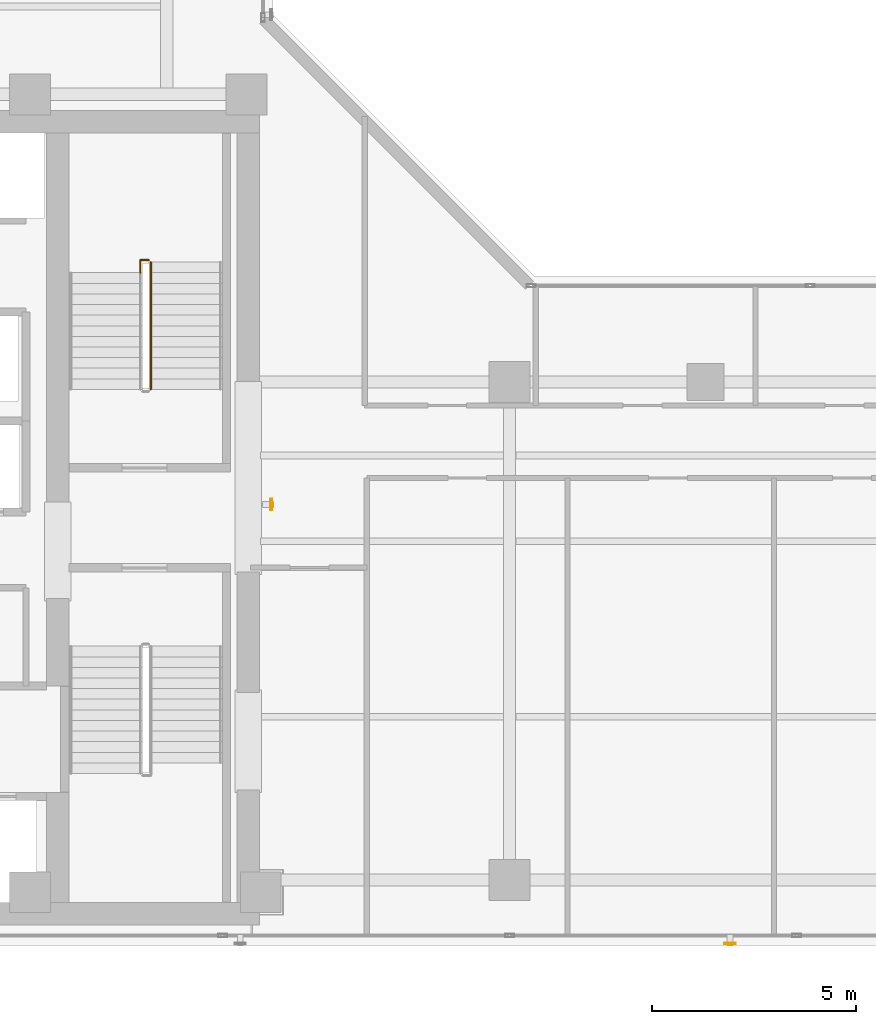
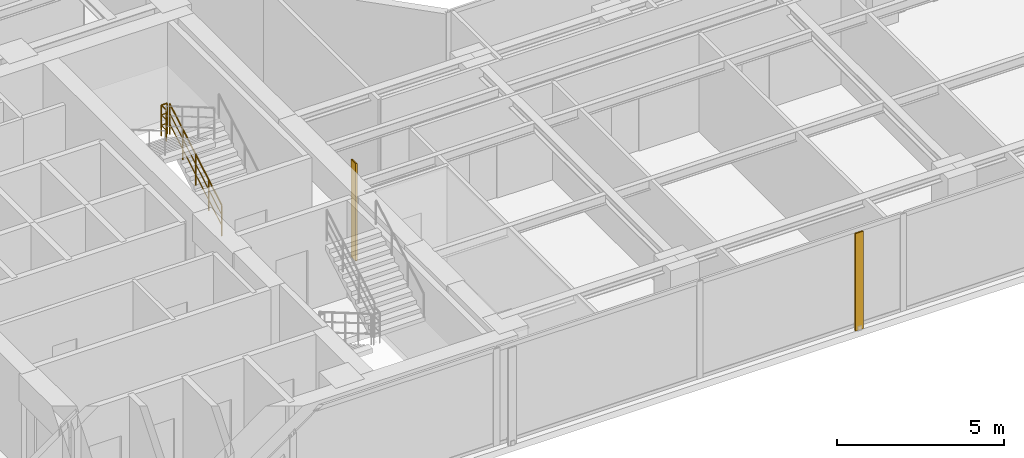
# One storey, part 20 of 23: 2 railings, 2 shading devices.
"""IFC4 building model written with IfcOpenShell, lengths in metres."""

from ifc_helpers import new_model, si_unit, direction, frame, origin, origin_2d, place, context, subcontext, project, spatial, hollow_rectangle, circle, extrude, material, material_profile, profile_set, type_object, element, save


model = new_model("IFC4")

# Units and contexts
model_context = context("Model", 3, precision=1e-05, world=origin(), true_north=direction((0.0, 1.0)))
body_context = subcontext(model_context, "Body", "Model", "MODEL_VIEW")
ifc_project = project(units=[si_unit("LENGTHUNIT", "METRE"), si_unit("AREAUNIT", "SQUARE_METRE"), si_unit("VOLUMEUNIT", "CUBIC_METRE"), si_unit("PLANEANGLEUNIT", "RADIAN"), si_unit("MASSUNIT", "GRAM", prefix="KILO")], contexts=[model_context])

# Site, building, storey
site_placement = place(None, origin())
site = spatial("IfcSite", under=ifc_project, at=site_placement, CompositionType="ELEMENT")
building_placement = place(site_placement, origin())
building = spatial("IfcBuilding", under=site, at=building_placement, Name="Kolvaren Waterfront Exchange", CompositionType="ELEMENT")
storey_placement = place(building_placement, frame((0.0, 0.0, 212.10009765625)))
storey = spatial("IfcBuildingStorey", under=building, at=storey_placement, Name="L54", CompositionType="ELEMENT", Elevation=212.10009765625)

# Shading devices
ifc_material_1 = material(Name="Anodised bronze aluminium 6063-T6", Category="aluminium")
ifc_material_profile = material_profile(ifc_material_1, hollow_rectangle(XDim=0.054931640625, YDim=0.280029296875, WallThickness=0.00439453125, at=origin_2d()), Name="BRZ-FIN-280x55x4.5")
ifc_profile_set = profile_set([ifc_material_profile], Name="Anodised bronze aluminium 6063-T6")
shading_device_type = type_object("IfcShadingDeviceType", Name="ARC-FIN-280", PredefinedType="USERDEFINED", material=ifc_profile_set)
for number, where, z_axis, x_axis, name in (
    (1, (32.60009765625, 3.639892578125, 0.0), (0.0, 0.0, 1.0), (0.0, -1.0, 0.0), "L54 anodised bronze solar shading fin FIN-L54-S3"),
    (2, (21.360107421875, 14.39990234375, 0.0), (0.0, 0.0, 1.0), (1.0, 0.0, 0.0), "L54 anodised bronze solar shading fin FIN-L54-E1"),
):
    element("IfcShadingDevice", number, at=place(storey_placement, frame(where, z_axis=z_axis, x_axis=x_axis)), inside=storey, type_object=shading_device_type, Name=name, ObjectType="SOLAR FIN", PredefinedType="USERDEFINED", context=body_context, shape_type="SweptSolid", body=[
        extrude(hollow_rectangle(XDim=0.054931640625, YDim=0.280029296875, WallThickness=0.00439453125, at=origin_2d()), origin(), (0.0, 0.0, 1.0), 3.559814453125),
    ])

# Railings
ifc_material_2 = material(Name="Stainless steel 316", Category="steel")
railing_type = type_object("IfcRailingType", Name="ARC-GUARD-STAIR", PredefinedType="GUARDRAIL", material=ifc_material_2)
railing_1_placement = place(storey_placement, frame((18.409912109375, 17.219970703125, 0.15185546875)))
element("IfcRailing", 3, at=railing_1_placement, inside=storey, type_object=railing_type, Name="L54 ST2 stair guard 1", PredefinedType="GUARDRAIL", context=body_context, shape_type="SweptSolid", body=[
    extrude(circle(Radius=0.02392578125, at=origin_2d()), frame((0.0, 0.0, 1.1259765625), z_axis=(0.0, 0.86330811405, 0.504677223793), x_axis=(-1.0, 0.0, 0.0)), (0.0, 0.0, 1.0), 3.6142578125),
    extrude(circle(Radius=0.01611328125, at=origin_2d()), frame((0.0, 0.0, 0.390869140625), z_axis=(0.0, 0.86330811405, 0.504677223793), x_axis=(-1.0, 0.0, 0.0)), (0.0, 0.0, 1.0), 3.6142578125),
    extrude(circle(Radius=0.01611328125, at=origin_2d()), frame((0.0, 0.0, 0.7705078125), z_axis=(0.0, 0.86330811405, 0.504677223793), x_axis=(-1.0, 0.0, 0.0)), (0.0, 0.0, 1.0), 3.6142578125),
    extrude(circle(Radius=0.02099609375, at=origin_2d()), origin(), (0.0, 0.0, 1.0), 1.101806640625),
    extrude(circle(Radius=0.02099609375, at=origin_2d()), frame((0.0, 0.780029296875, 0.4560546875)), (0.0, 0.0, 1.0), 1.101806640625),
    extrude(circle(Radius=0.02099609375, at=origin_2d()), frame((0.0, 1.56005859375, 0.912109375)), (0.0, 0.0, 1.0), 1.101806640625),
    extrude(circle(Radius=0.02099609375, at=origin_2d()), frame((0.0, 2.340087890625, 1.367919921875)), (0.0, 0.0, 1.0), 1.101806640625),
    extrude(circle(Radius=0.02099609375, at=origin_2d()), frame((0.0, 3.1201171875, 1.823974609375)), (0.0, 0.0, 1.0), 1.101806640625),
])
railing_2_placement = place(storey_placement, frame((18.360107421875, 20.389892578125, 1.975830078125)))
element("IfcRailing", 4, at=railing_2_placement, inside=storey, type_object=railing_type, Name="L54 ST2 stair guard 2", PredefinedType="GUARDRAIL", context=body_context, shape_type="SweptSolid", body=[
    extrude(circle(Radius=0.02392578125, at=origin_2d()), frame((0.0, 0.0, 1.1259765625), z_axis=(-1.0, 0.0, 0.0), x_axis=(0.0, -1.0, 0.0)), (0.0, 0.0, 1.0), 0.210205078125),
    extrude(circle(Radius=0.01611328125, at=origin_2d()), frame((0.0, 0.0, 0.390869140625), z_axis=(-1.0, 0.0, 0.0), x_axis=(0.0, -1.0, 0.0)), (0.0, 0.0, 1.0), 0.210205078125),
    extrude(circle(Radius=0.01611328125, at=origin_2d()), frame((0.0, 0.0, 0.7705078125), z_axis=(-1.0, 0.0, 0.0), x_axis=(0.0, -1.0, 0.0)), (0.0, 0.0, 1.0), 0.210205078125),
    extrude(circle(Radius=0.02392578125, at=origin_2d()), frame((-0.210205078125, 0.0, 1.1259765625), z_axis=(0.0, -1.0, 0.0), x_axis=(1.0, 0.0, 0.0)), (0.0, 0.0, 1.0), 0.309814453125),
    extrude(circle(Radius=0.01611328125, at=origin_2d()), frame((-0.210205078125, 0.0, 0.390869140625), z_axis=(0.0, -1.0, 0.0), x_axis=(1.0, 0.0, 0.0)), (0.0, 0.0, 1.0), 0.309814453125),
    extrude(circle(Radius=0.01611328125, at=origin_2d()), frame((-0.210205078125, 0.0, 0.7705078125), z_axis=(0.0, -1.0, 0.0), x_axis=(1.0, 0.0, 0.0)), (0.0, 0.0, 1.0), 0.309814453125),
    extrude(circle(Radius=0.02099609375, at=origin_2d()), origin(), (0.0, 0.0, 1.0), 1.101806640625),
    extrude(circle(Radius=0.02099609375, at=origin_2d()), frame((-0.210205078125, 0.0, 0.0)), (0.0, 0.0, 1.0), 1.101806640625),
    extrude(circle(Radius=0.02099609375, at=origin_2d()), frame((-0.210205078125, -0.309814453125, 0.0)), (0.0, 0.0, 1.0), 1.101806640625),
])

save(model, "model.ifc")
